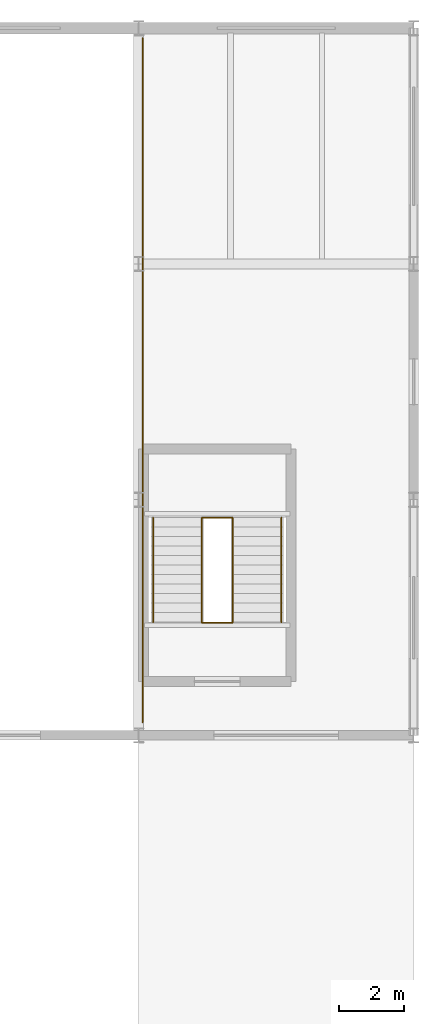
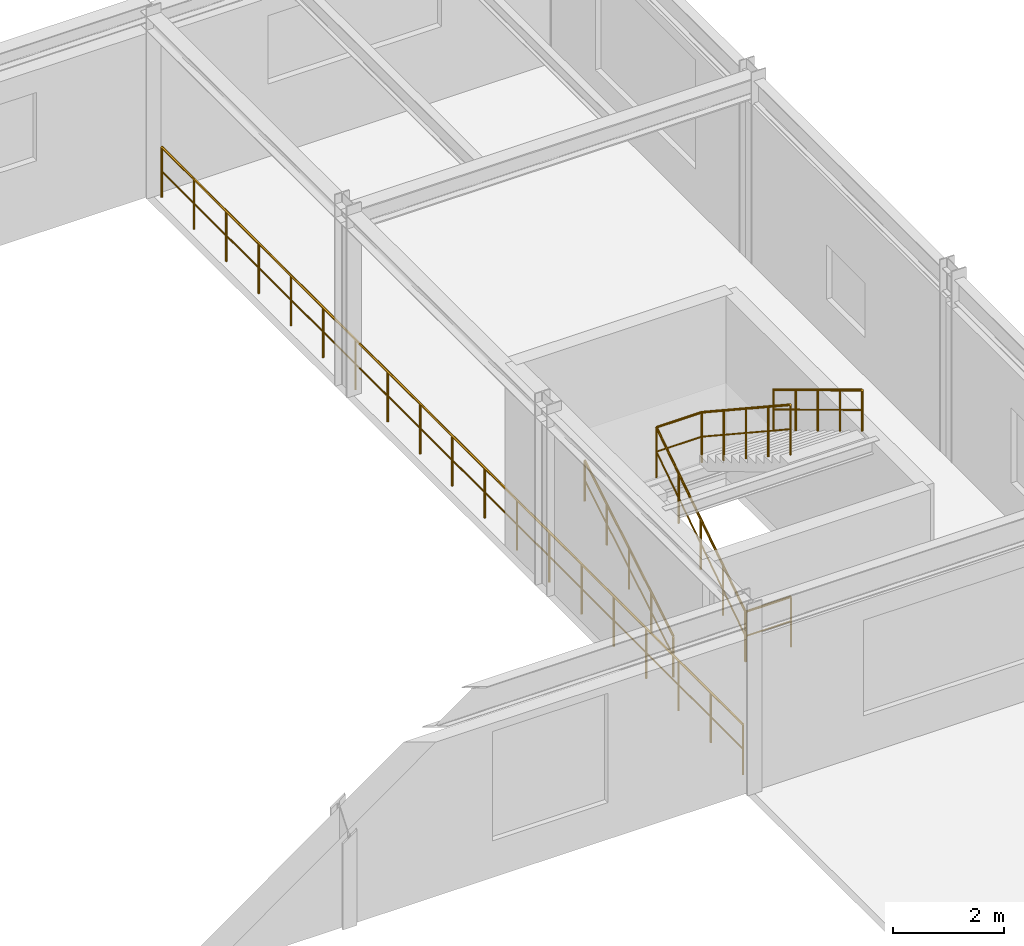
# One storey, part 71 of 73: 7 railings.
"""IFC4 building model written with IfcOpenShell, lengths in metres."""

from ifc_helpers import new_model, si_unit, derived_unit, direction, frame, origin, origin_2d, place, context, subcontext, project, spatial, circle, extrude, material, type_object, element, save


model = new_model("IFC4")

# Units and contexts
model_context = context("Model", 3, precision=1e-05, world=origin(), true_north=direction((0.0, 1.0)))
body_context = subcontext(model_context, "Body", "Model", "MODEL_VIEW")
ifc_project = project(units=[si_unit("LENGTHUNIT", "METRE"), si_unit("AREAUNIT", "SQUARE_METRE"), si_unit("VOLUMEUNIT", "CUBIC_METRE"), si_unit("PLANEANGLEUNIT", "RADIAN"), si_unit("MASSUNIT", "GRAM", prefix="KILO"), derived_unit("THERMALTRANSMITTANCEUNIT", [(si_unit("MASSUNIT", "GRAM", prefix="KILO"), 1), (si_unit("TIMEUNIT", "SECOND"), -3), (si_unit("THERMODYNAMICTEMPERATUREUNIT", "KELVIN"), -1)])], contexts=[model_context])

# Site, building, storey
site_placement = place(None, origin())
site = spatial("IfcSite", under=ifc_project, at=site_placement, CompositionType="ELEMENT")
building_placement = place(site_placement, origin())
building = spatial("IfcBuilding", under=site, at=building_placement, Name="Kharveza Railside Sports Centre", CompositionType="ELEMENT")
storey_placement = place(building_placement, frame((0.0, 0.0, 8.699951171875)))
storey = spatial("IfcBuildingStorey", under=building, at=storey_placement, Name="L02", CompositionType="ELEMENT", Elevation=8.699951171875)

# Railings
ifc_material = material(Name="Steel S275JR", Category="steel")
railing_type_1 = type_object("IfcRailingType", Name="RL-GD110", PredefinedType="GUARDRAIL", material=ifc_material)
railing_1_placement = place(storey_placement, frame((18.72998046875, 89.840087890625, 0.0)))
element("IfcRailing", 1, at=railing_1_placement, inside=storey, type_object=railing_type_1, Name="RL-STSLOT-ST6-L02", PredefinedType="GUARDRAIL", context=body_context, shape_type="SweptSolid", body=[
    extrude(circle(Radius=0.02392578125, at=origin_2d()), frame((0.0, 0.0, 1.09619140625), z_axis=(1.0, 0.0, 0.0), x_axis=(0.0, 1.0, 0.0)), (0.0, 0.0, 1.0), 0.93994140625),
    extrude(circle(Radius=0.01611328125, at=origin_2d()), frame((0.0, 0.0, 0.56005859375), z_axis=(1.0, 0.0, 0.0), x_axis=(0.0, 1.0, 0.0)), (0.0, 0.0, 1.0), 0.93994140625),
    extrude(circle(Radius=0.02099609375, at=origin_2d()), origin(), (0.0, 0.0, 1.0), 1.072021484375),
    extrude(circle(Radius=0.02099609375, at=origin_2d()), frame((0.93994140625, 0.0, 0.0)), (0.0, 0.0, 1.0), 1.072021484375),
])
railing_2_placement = place(storey_placement, frame((18.72998046875, 89.860107421875, 0.0)))
element("IfcRailing", 2, at=railing_2_placement, inside=storey, type_object=railing_type_1, Name="STR-ST6-L02-GD1", PredefinedType="GUARDRAIL", context=body_context, shape_type="SweptSolid", body=[
    extrude(circle(Radius=0.02392578125, at=origin_2d()), frame((0.0, 0.0, 1.09619140625), z_axis=(0.0, 0.835242474824, 0.549881812983), x_axis=(-1.0, 0.0, 0.0)), (0.0, 0.0, 1.0), 3.819091796875),
    extrude(circle(Radius=0.01611328125, at=origin_2d()), frame((0.0, 0.0, 0.56005859375), z_axis=(0.0, 0.835242474824, 0.549881812983), x_axis=(-1.0, 0.0, 0.0)), (0.0, 0.0, 1.0), 3.819091796875),
    extrude(circle(Radius=0.02099609375, at=origin_2d()), origin(), (0.0, 0.0, 1.0), 1.072021484375),
    extrude(circle(Radius=0.02099609375, at=origin_2d()), frame((0.0, 0.79736328125, 0.52490234375)), (0.0, 0.0, 1.0), 1.072021484375),
    extrude(circle(Radius=0.02099609375, at=origin_2d()), frame((0.0, 1.594970703125, 1.050048828125)), (0.0, 0.0, 1.0), 1.072021484375),
    extrude(circle(Radius=0.02099609375, at=origin_2d()), frame((0.0, 2.392578125, 1.5751953125)), (0.0, 0.0, 1.0), 1.072021484375),
    extrude(circle(Radius=0.02099609375, at=origin_2d()), frame((0.0, 3.18994140625, 2.10009765625)), (0.0, 0.0, 1.0), 1.072021484375),
])
railing_3_placement = place(storey_placement, frame((19.669921875, 93.050048828125, 2.10009765625)))
element("IfcRailing", 3, at=railing_3_placement, inside=storey, type_object=railing_type_1, Name="STR-ST6-L02-GD2", PredefinedType="GUARDRAIL", context=body_context, shape_type="SweptSolid", body=[
    extrude(circle(Radius=0.02392578125, at=origin_2d()), frame((0.0, 0.0, 1.09619140625), z_axis=(0.0, -0.835271834381, 0.549837214719), x_axis=(1.0, 0.0, 0.0)), (0.0, 0.0, 1.0), 3.819091796875),
    extrude(circle(Radius=0.01611328125, at=origin_2d()), frame((0.0, 0.0, 0.56005859375), z_axis=(0.0, -0.835271834381, 0.549837214719), x_axis=(1.0, 0.0, 0.0)), (0.0, 0.0, 1.0), 3.819091796875),
    extrude(circle(Radius=0.02099609375, at=origin_2d()), origin(), (0.0, 0.0, 1.0), 1.072021484375),
    extrude(circle(Radius=0.02099609375, at=origin_2d()), frame((0.0, -0.79736328125, 0.52490234375)), (0.0, 0.0, 1.0), 1.072021484375),
    extrude(circle(Radius=0.02099609375, at=origin_2d()), frame((0.0, -1.594970703125, 1.0498046875)), (0.0, 0.0, 1.0), 1.072021484375),
    extrude(circle(Radius=0.02099609375, at=origin_2d()), frame((0.0, -2.392578125, 1.574951171875)), (0.0, 0.0, 1.0), 1.072021484375),
    extrude(circle(Radius=0.02099609375, at=origin_2d()), frame((0.0, -3.18994140625, 2.099853515625)), (0.0, 0.0, 1.0), 1.072021484375),
])
railing_4_placement = place(storey_placement, frame((18.72998046875, 93.050048828125, 2.10009765625)))
element("IfcRailing", 4, at=railing_4_placement, inside=storey, type_object=railing_type_1, Name="STR-ST6-L02-GDH", PredefinedType="GUARDRAIL", context=body_context, shape_type="SweptSolid", body=[
    extrude(circle(Radius=0.02392578125, at=origin_2d()), frame((0.0, 0.0, 1.09619140625), z_axis=(1.0, 0.0, 0.0), x_axis=(0.0, 1.0, 0.0)), (0.0, 0.0, 1.0), 0.93994140625),
    extrude(circle(Radius=0.01611328125, at=origin_2d()), frame((0.0, 0.0, 0.56005859375), z_axis=(1.0, 0.0, 0.0), x_axis=(0.0, 1.0, 0.0)), (0.0, 0.0, 1.0), 0.93994140625),
    extrude(circle(Radius=0.02099609375, at=origin_2d()), origin(), (0.0, 0.0, 1.0), 1.072021484375),
    extrude(circle(Radius=0.02099609375, at=origin_2d()), frame((0.93994140625, 0.0, 0.0)), (0.0, 0.0, 1.0), 1.072021484375),
])
railing_5_placement = place(storey_placement, frame((16.919921875, 86.800048828125, 0.0)))
element("IfcRailing", 5, at=railing_5_placement, inside=storey, type_object=railing_type_1, Name="RL-CLIMB-GAL-L02", PredefinedType="GUARDRAIL", context=body_context, shape_type="SweptSolid", body=[
    extrude(circle(Radius=0.02392578125, at=origin_2d()), frame((0.0, 0.0, 1.09619140625), z_axis=(0.0, 1.0, 0.0), x_axis=(-1.0, 0.0, 0.0)), (0.0, 0.0, 1.0), 20.89990234375),
    extrude(circle(Radius=0.01611328125, at=origin_2d()), frame((0.0, 0.0, 0.56005859375), z_axis=(0.0, 1.0, 0.0), x_axis=(-1.0, 0.0, 0.0)), (0.0, 0.0, 1.0), 20.89990234375),
    extrude(circle(Radius=0.02099609375, at=origin_2d()), origin(), (0.0, 0.0, 1.0), 1.072021484375),
    extrude(circle(Radius=0.02099609375, at=origin_2d()), frame((0.0, 1.1611328125, 0.0)), (0.0, 0.0, 1.0), 1.072021484375),
    extrude(circle(Radius=0.02099609375, at=origin_2d()), frame((0.0, 2.322265625, 0.0)), (0.0, 0.0, 1.0), 1.072021484375),
    extrude(circle(Radius=0.02099609375, at=origin_2d()), frame((0.0, 3.4833984375, 0.0)), (0.0, 0.0, 1.0), 1.072021484375),
    extrude(circle(Radius=0.02099609375, at=origin_2d()), frame((0.0, 4.64453125, 0.0)), (0.0, 0.0, 1.0), 1.072021484375),
    extrude(circle(Radius=0.02099609375, at=origin_2d()), frame((0.0, 5.805419921875, 0.0)), (0.0, 0.0, 1.0), 1.072021484375),
    extrude(circle(Radius=0.02099609375, at=origin_2d()), frame((0.0, 6.966552734375, 0.0)), (0.0, 0.0, 1.0), 1.072021484375),
    extrude(circle(Radius=0.02099609375, at=origin_2d()), frame((0.0, 8.127685546875, 0.0)), (0.0, 0.0, 1.0), 1.072021484375),
    extrude(circle(Radius=0.02099609375, at=origin_2d()), frame((0.0, 9.288818359375, 0.0)), (0.0, 0.0, 1.0), 1.072021484375),
    extrude(circle(Radius=0.02099609375, at=origin_2d()), frame((0.0, 10.449951171875, 0.0)), (0.0, 0.0, 1.0), 1.072021484375),
    extrude(circle(Radius=0.02099609375, at=origin_2d()), frame((0.0, 11.611083984375, 0.0)), (0.0, 0.0, 1.0), 1.072021484375),
    extrude(circle(Radius=0.02099609375, at=origin_2d()), frame((0.0, 12.772216796875, 0.0)), (0.0, 0.0, 1.0), 1.072021484375),
    extrude(circle(Radius=0.02099609375, at=origin_2d()), frame((0.0, 13.933349609375, 0.0)), (0.0, 0.0, 1.0), 1.072021484375),
    extrude(circle(Radius=0.02099609375, at=origin_2d()), frame((0.0, 15.094482421875, 0.0)), (0.0, 0.0, 1.0), 1.072021484375),
    extrude(circle(Radius=0.02099609375, at=origin_2d()), frame((0.0, 16.25537109375, 0.0)), (0.0, 0.0, 1.0), 1.072021484375),
    extrude(circle(Radius=0.02099609375, at=origin_2d()), frame((0.0, 17.41650390625, 0.0)), (0.0, 0.0, 1.0), 1.072021484375),
    extrude(circle(Radius=0.02099609375, at=origin_2d()), frame((0.0, 18.57763671875, 0.0)), (0.0, 0.0, 1.0), 1.072021484375),
    extrude(circle(Radius=0.02099609375, at=origin_2d()), frame((0.0, 19.73876953125, 0.0)), (0.0, 0.0, 1.0), 1.072021484375),
    extrude(circle(Radius=0.02099609375, at=origin_2d()), frame((0.0, 20.89990234375, 0.0)), (0.0, 0.0, 1.0), 1.072021484375),
])
railing_type_2 = type_object("IfcRailingType", Name="RL-HR092", PredefinedType="HANDRAIL", material=ifc_material)
railing_6_placement = place(storey_placement, frame((17.239990234375, 89.860107421875, 0.175048828125)))
element("IfcRailing", 6, at=railing_6_placement, inside=storey, type_object=railing_type_2, Name="STR-ST6-L02-HR1", PredefinedType="HANDRAIL", context=body_context, shape_type="SweptSolid", body=[
    extrude(circle(Radius=0.02392578125, at=origin_2d()), frame((0.0, 0.0, 0.89599609375), z_axis=(0.0, 0.856177665481, 0.516681531633), x_axis=(-1.0, 0.0, 0.0)), (0.0, 0.0, 1.0), 3.725830078125),
    extrude(circle(Radius=0.01611328125, at=origin_2d()), frame((0.0, 0.0, 0.4599609375), z_axis=(0.0, 0.856177665481, 0.516681531633), x_axis=(-1.0, 0.0, 0.0)), (0.0, 0.0, 1.0), 3.725830078125),
    extrude(circle(Radius=0.02099609375, at=origin_2d()), origin(), (0.0, 0.0, 1.0), 0.871826171875),
    extrude(circle(Radius=0.02099609375, at=origin_2d()), frame((0.0, 0.79736328125, 0.481201171875)), (0.0, 0.0, 1.0), 0.871826171875),
    extrude(circle(Radius=0.02099609375, at=origin_2d()), frame((0.0, 1.594970703125, 0.96240234375)), (0.0, 0.0, 1.0), 0.871826171875),
    extrude(circle(Radius=0.02099609375, at=origin_2d()), frame((0.0, 2.392578125, 1.44384765625)), (0.0, 0.0, 1.0), 0.871826171875),
    extrude(circle(Radius=0.02099609375, at=origin_2d()), frame((0.0, 3.18994140625, 1.925048828125)), (0.0, 0.0, 1.0), 0.871826171875),
])
railing_7_placement = place(storey_placement, frame((21.159912109375, 93.050048828125, 2.275146484375)))
element("IfcRailing", 7, at=railing_7_placement, inside=storey, type_object=railing_type_2, Name="STR-ST6-L02-HR2", PredefinedType="HANDRAIL", context=body_context, shape_type="SweptSolid", body=[
    extrude(circle(Radius=0.02392578125, at=origin_2d()), frame((0.0, 0.0, 0.89599609375), z_axis=(0.0, -0.856206652436, 0.516633495163), x_axis=(1.0, 0.0, 0.0)), (0.0, 0.0, 1.0), 3.7255859375),
    extrude(circle(Radius=0.01611328125, at=origin_2d()), frame((0.0, 0.0, 0.4599609375), z_axis=(0.0, -0.856206652436, 0.516633495163), x_axis=(1.0, 0.0, 0.0)), (0.0, 0.0, 1.0), 3.7255859375),
    extrude(circle(Radius=0.02099609375, at=origin_2d()), origin(), (0.0, 0.0, 1.0), 0.871826171875),
    extrude(circle(Radius=0.02099609375, at=origin_2d()), frame((0.0, -0.79736328125, 0.481201171875)), (0.0, 0.0, 1.0), 0.871826171875),
    extrude(circle(Radius=0.02099609375, at=origin_2d()), frame((0.0, -1.594970703125, 0.96240234375)), (0.0, 0.0, 1.0), 0.871826171875),
    extrude(circle(Radius=0.02099609375, at=origin_2d()), frame((0.0, -2.392578125, 1.443603515625)), (0.0, 0.0, 1.0), 0.871826171875),
    extrude(circle(Radius=0.02099609375, at=origin_2d()), frame((0.0, -3.18994140625, 1.9248046875)), (0.0, 0.0, 1.0), 0.871826171875),
])

save(model, "model.ifc")
